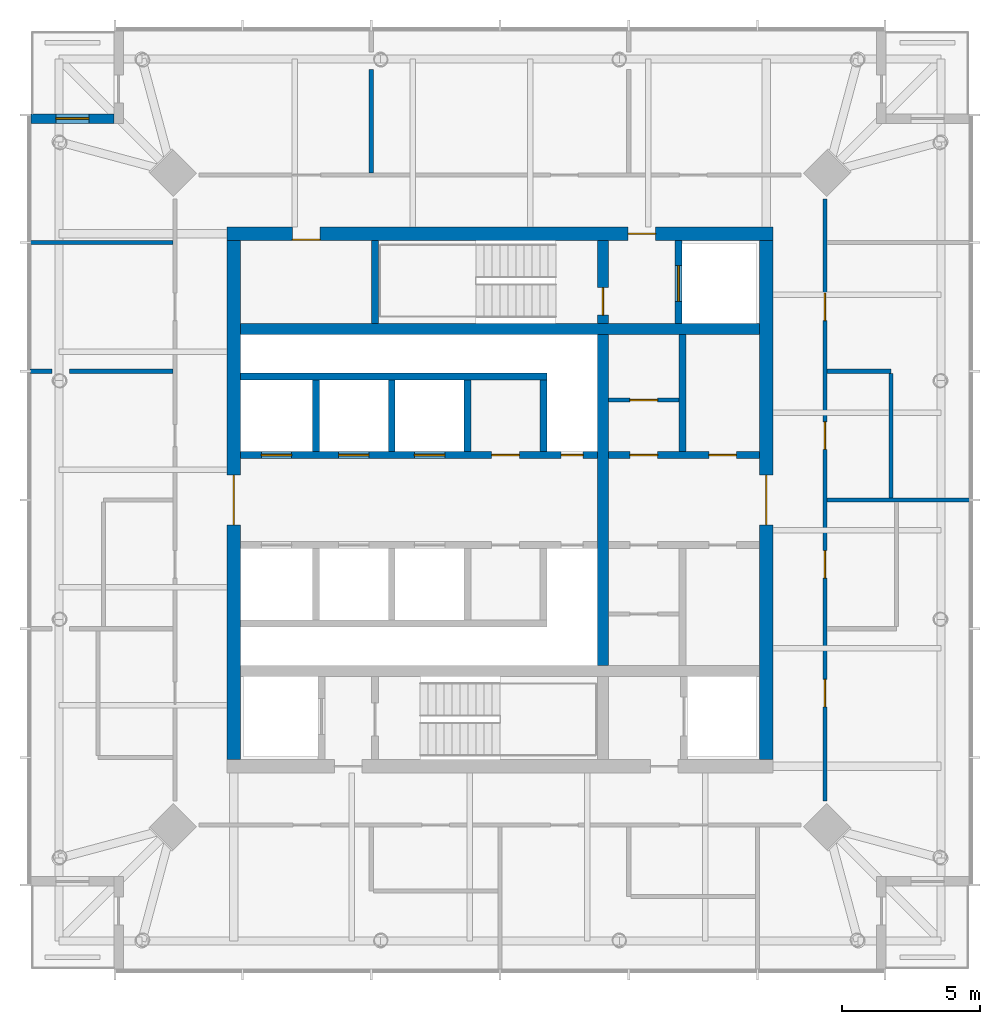
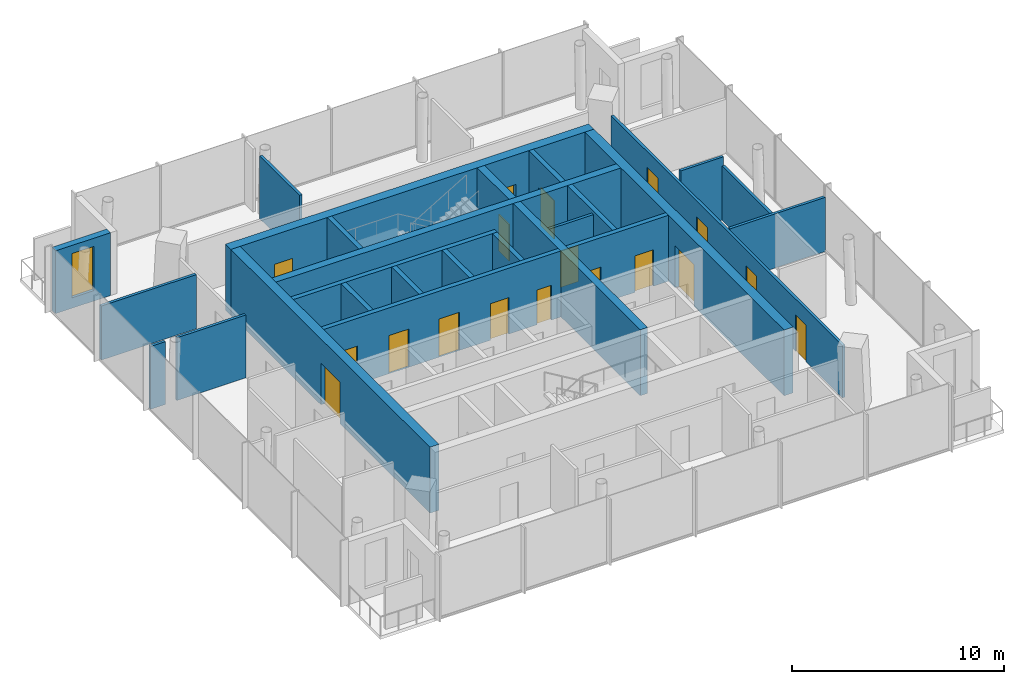
# One storey, part 5 of 7: 26 walls, 18 doors, 1 window, 19 openings.
"""IFC4 building model written with IfcOpenShell, lengths in metres."""

from ifc_helpers import new_model, si_unit, direction, frame, frame_2d, origin, place, context, subcontext, project, spatial, rectangle, extrude, material, layer, layer_set, type_object, element, fill, save


model = new_model("IFC4")

# Units and contexts
model_context = context("Model", 3, precision=1e-05, world=origin(), true_north=direction((0.0, 1.0)))
body_context = subcontext(model_context, "Body", "Model", "MODEL_VIEW")
ifc_project = project(units=[si_unit("LENGTHUNIT", "METRE"), si_unit("AREAUNIT", "SQUARE_METRE"), si_unit("VOLUMEUNIT", "CUBIC_METRE"), si_unit("PLANEANGLEUNIT", "RADIAN"), si_unit("MASSUNIT", "GRAM", prefix="KILO")], contexts=[model_context])

# Site, building, storey
site_placement = place(None, origin())
site = spatial("IfcSite", under=ifc_project, at=site_placement, CompositionType="ELEMENT")
building_placement = place(site_placement, origin())
building = spatial("IfcBuilding", under=site, at=building_placement, Name="Ostroluk Exchange", CompositionType="ELEMENT")
storey_placement = place(building_placement, frame((0.0, 0.0, 271.800048828125)))
storey = spatial("IfcBuildingStorey", under=building, at=storey_placement, Name="L70", CompositionType="ELEMENT", Elevation=271.800048828125)

# Wall, opening, door
ifc_material_1 = material(Name="Concrete blockwork", Category="masonry")
ifc_layer_1 = layer(ifc_material_1, 0.14990234375)
ifc_layer_set_1 = layer_set([ifc_layer_1], Name="Blockwork plant room wall 150")
wall_type_1 = type_object("IfcWallType", Name="Blockwork plant room wall 150", PredefinedType="SOLIDWALL", material=ifc_layer_set_1)
wall_1_placement = place(storey_placement, frame((48.929931640625, 49.6201171875, 0.0), z_axis=(0.0, 0.0, 1.0), x_axis=(1.0, 0.0, 0.0)))
wall_1 = element("IfcWall", 1, at=wall_1_placement, inside=storey, type_object=wall_type_1, Name="Core room wall", PredefinedType="SOLIDWALL", context=body_context, shape_type="SweptSolid", body=[
    extrude(rectangle(XDim=2.56005859375, YDim=0.14990234375, at=frame_2d((1.280029296875, 0.0))), origin(), (0.0, 0.0, 1.0), 3.619873046875),
])
opening_1_placement = place(wall_1_placement, frame((0.780029296875, 0.0, 0.0)))
opening_1 = element("IfcOpeningElement", 2, at=opening_1_placement, cuts=wall_1, Name="Opening FD60", PredefinedType="OPENING", context=body_context, shape_type="SweptSolid", body=[
    extrude(rectangle(XDim=1.0, YDim=2.10009765625, at=frame_2d((0.5, 1.050048828125))), frame((0.0, 0.0849609375, 0.0), z_axis=(0.0, -1.0, 0.0), x_axis=(1.0, 0.0, 0.0)), (0.0, 0.0, 1.0), 0.169921875),
])
ifc_material_2 = material(Name="Steel", Category="steel")
door_type_1 = type_object("IfcDoorType", Name="Fire door EI 60 1000 x 2100", OperationType="SINGLE_SWING_LEFT", PredefinedType="DOOR", material=ifc_material_2)
door_1_placement = place(opening_1_placement, origin())
door_1 = element("IfcDoor", 3, at=door_1_placement, inside=storey, type_object=door_type_1, Name="Stationery store door", OperationType="SINGLE_SWING_LEFT", OverallHeight=2.10009765625, OverallWidth=1.0, PredefinedType="DOOR", context=body_context, shape_type="SweptSolid", body=[
    extrude(rectangle(XDim=1.0, YDim=2.10009765625, at=frame_2d((0.5, 1.050048828125))), frame((0.0, 0.02490234375, 0.0), z_axis=(0.0, -1.0, 0.0), x_axis=(1.0, 0.0, 0.0)), (0.0, 0.0, 1.0), 0.050048828125),
])
fill(opening_1, door_1)

# Walls
ifc_material_3 = material(Name="Concrete C50/60", Category="concrete")
ifc_layer_2 = layer(ifc_material_3, 0.39990234375)
ifc_layer_set_2 = layer_set([ifc_layer_2], Name="Core cross wall 400 C50/60")
wall_type_2 = type_object("IfcWallType", Name="Core cross wall 400 C50/60", PredefinedType="SHEAR", material=ifc_layer_set_2)
wall_2_placement = place(storey_placement, frame((35.60009765625, 52.199951171875, 0.0), z_axis=(0.0, 0.0, 1.0), x_axis=(1.0, 0.0, 0.0)))
element("IfcWall", 4, at=wall_2_placement, inside=storey, type_object=wall_type_2, Name="T1 core wall XN", PredefinedType="SHEAR", context=body_context, shape_type="SweptSolid", body=[
    extrude(rectangle(XDim=18.7998046875, YDim=0.39990234375, at=frame_2d((9.39990234375, 0.0))), origin(), (0.0, 0.0, 1.0), 3.800048828125),
])
wall_3_placement = place(storey_placement, frame((48.72998046875, 40.0, 0.0), z_axis=(0.0, 0.0, 1.0), x_axis=(0.0, 1.0, 0.0)))
element("IfcWall", 5, at=wall_3_placement, inside=storey, type_object=wall_type_2, Name="T1 core wall YE2", PredefinedType="SHEAR", context=body_context, shape_type="SweptSolid", body=[
    extrude(rectangle(XDim=12.0, YDim=0.39990234375, at=frame_2d((6.0, 0.0))), origin(), (0.0, 0.0, 1.0), 3.800048828125),
])

# Wall, opening, door
wall_4_placement = place(storey_placement, frame((48.72998046875, 52.39990234375, 0.0), z_axis=(0.0, 0.0, 1.0), x_axis=(0.0, 1.0, 0.0)))
wall_4 = element("IfcWall", 6, at=wall_4_placement, inside=storey, type_object=wall_type_2, Name="T1 core wall YE3", PredefinedType="SHEAR", context=body_context, shape_type="SweptSolid", body=[
    extrude(rectangle(XDim=3.0, YDim=0.39990234375, at=frame_2d((1.5, 0.0))), origin(), (0.0, 0.0, 1.0), 3.800048828125),
])
opening_2_placement = place(wall_4_placement, frame((0.300048828125, 0.0, 0.0)))
opening_2 = element("IfcOpeningElement", 7, at=opening_2_placement, cuts=wall_4, Name="Opening FD60", PredefinedType="OPENING", context=body_context, shape_type="SweptSolid", body=[
    extrude(rectangle(XDim=1.0, YDim=2.10009765625, at=frame_2d((0.5, 1.050048828125))), frame((0.0, 0.2099609375, 0.0), z_axis=(0.0, -1.0, 0.0), x_axis=(1.0, 0.0, 0.0)), (0.0, 0.0, 1.0), 0.419921875),
])
door_2_placement = place(opening_2_placement, origin())
door_2 = element("IfcDoor", 8, at=door_2_placement, inside=storey, type_object=door_type_1, Name="Stair T1-S2 door", OperationType="SINGLE_SWING_LEFT", OverallHeight=2.10009765625, OverallWidth=1.0, PredefinedType="DOOR", context=body_context, shape_type="SweptSolid", body=[
    extrude(rectangle(XDim=1.0, YDim=2.10009765625, at=frame_2d((0.5, 1.050048828125))), frame((0.0, 0.02490234375, 0.0), z_axis=(0.0, -1.0, 0.0), x_axis=(1.0, 0.0, 0.0)), (0.0, 0.0, 1.0), 0.050048828125),
])
fill(opening_2, door_2)

# Wall
ifc_material_4 = material(Name="Concrete C40/50", Category="concrete")
ifc_layer_3 = layer(ifc_material_4, 0.25)
ifc_layer_set_3 = layer_set([ifc_layer_3], Name="Core shaft wall 250")
wall_type_3 = type_object("IfcWallType", Name="Core shaft wall 250", PredefinedType="SHEAR", material=ifc_layer_set_3)
wall_5_placement = place(storey_placement, frame((40.47509765625, 52.39990234375, 0.0), z_axis=(0.0, 0.0, 1.0), x_axis=(0.0, 1.0, 0.0)))
element("IfcWall", 9, at=wall_5_placement, inside=storey, type_object=wall_type_3, Name="Stair shaft wall", PredefinedType="SHEAR", context=body_context, shape_type="SweptSolid", body=[
    extrude(rectangle(XDim=3.0, YDim=0.25, at=frame_2d((1.5, 0.0))), origin(), (0.0, 0.0, 1.0), 3.800048828125),
])

# Wall, opening, door
wall_6_placement = place(storey_placement, frame((51.47509765625, 52.39990234375, 0.0), z_axis=(0.0, 0.0, 1.0), x_axis=(0.0, 1.0, 0.0)))
wall_6 = element("IfcWall", 10, at=wall_6_placement, inside=storey, type_object=wall_type_3, Name="Firefighting lift shaft wall", PredefinedType="SHEAR", context=body_context, shape_type="SweptSolid", body=[
    extrude(rectangle(XDim=3.0, YDim=0.25, at=frame_2d((1.5, 0.0))), origin(), (0.0, 0.0, 1.0), 3.800048828125),
])
opening_3_placement = place(wall_6_placement, frame((0.800048828125, 0.0, 0.0)))
opening_3 = element("IfcOpeningElement", 11, at=opening_3_placement, cuts=wall_6, Name="Opening LD2", PredefinedType="OPENING", context=body_context, shape_type="SweptSolid", body=[
    extrude(rectangle(XDim=1.300048828125, YDim=2.199951171875, at=frame_2d((0.64990234375, 1.10009765625))), frame((0.0, 0.135009765625, 0.0), z_axis=(0.0, -1.0, 0.0), x_axis=(1.0, 0.0, 0.0)), (0.0, 0.0, 1.0), 0.27001953125),
])
ifc_material_5 = material(Name="Stainless steel", Category="steel")
door_type_2 = type_object("IfcDoorType", Name="Lift landing door E 60 1300 x 2200", OperationType="DOUBLE_DOOR_SLIDING", PredefinedType="DOOR", material=ifc_material_5)
door_3_placement = place(opening_3_placement, origin())
door_3 = element("IfcDoor", 12, at=door_3_placement, inside=storey, type_object=door_type_2, Name="Lift FL2 landing door", OperationType="DOUBLE_DOOR_SLIDING", OverallHeight=2.199951171875, OverallWidth=1.300048828125, PredefinedType="DOOR", context=body_context, shape_type="SweptSolid", body=[
    extrude(rectangle(XDim=1.300048828125, YDim=2.199951171875, at=frame_2d((0.64990234375, 1.10009765625))), frame((0.0, 0.02490234375, 0.0), z_axis=(0.0, -1.0, 0.0), x_axis=(1.0, 0.0, 0.0)), (0.0, 0.0, 1.0), 0.050048828125),
])
fill(opening_3, door_3)

# Walls
for number, where, z_axis, x_axis, name in (
    (13, (38.324951171875, 47.75, 0.0), (0.0, 0.0, 1.0), (0.0, 1.0, 0.0), "Lift shaft wall"),
    (14, (41.074951171875, 47.75, 0.0), (0.0, 0.0, 1.0), (0.0, 1.0, 0.0), "Lift shaft wall"),
    (15, (43.824951171875, 47.75, 0.0), (0.0, 0.0, 1.0), (0.0, 1.0, 0.0), "Lift shaft wall"),
    (16, (46.574951171875, 47.75, 0.0), (0.0, 0.0, 1.0), (0.0, 1.0, 0.0), "Lift shaft wall"),
):
    element("IfcWall", number, at=place(storey_placement, frame(where, z_axis=z_axis, x_axis=x_axis)), inside=storey, type_object=wall_type_3, Name=name, PredefinedType="SHEAR", context=body_context, shape_type="SweptSolid", body=[
        extrude(rectangle(XDim=2.60009765625, YDim=0.25, at=frame_2d((1.300048828125, 0.0))), origin(), (0.0, 0.0, 1.0), 3.800048828125),
    ])
wall_7_placement = place(storey_placement, frame((35.60009765625, 50.47509765625, 0.0), z_axis=(0.0, 0.0, 1.0), x_axis=(1.0, 0.0, 0.0)))
element("IfcWall", 17, at=wall_7_placement, inside=storey, type_object=wall_type_3, Name="Lift shaft wall", PredefinedType="SHEAR", context=body_context, shape_type="SweptSolid", body=[
    extrude(rectangle(XDim=11.099853515625, YDim=0.25, at=frame_2d((5.5498046875, 0.0))), origin(), (0.0, 0.0, 1.0), 3.800048828125),
])

# Wall, openings, doors
wall_8_placement = place(storey_placement, frame((35.60009765625, 47.625, 0.0), z_axis=(0.0, 0.0, 1.0), x_axis=(1.0, 0.0, 0.0)))
wall_8 = element("IfcWall", 18, at=wall_8_placement, inside=storey, type_object=wall_type_3, Name="Lift shaft front wall", PredefinedType="SHEAR", context=body_context, shape_type="SweptSolid", body=[
    extrude(rectangle(XDim=12.929931640625, YDim=0.25, at=frame_2d((6.46484375, 0.0))), origin(), (0.0, 0.0, 1.0), 3.800048828125),
])
opening_4_placement = place(wall_8_placement, frame((0.75, 0.0, 0.0)))
opening_4 = element("IfcOpeningElement", 19, at=opening_4_placement, cuts=wall_8, Name="Opening LD", PredefinedType="OPENING", context=body_context, shape_type="SweptSolid", body=[
    extrude(rectangle(XDim=1.10009765625, YDim=2.199951171875, at=frame_2d((0.550048828125, 1.10009765625))), frame((0.0, 0.135009765625, 0.0), z_axis=(0.0, -1.0, 0.0), x_axis=(1.0, 0.0, 0.0)), (0.0, 0.0, 1.0), 0.27001953125),
])
opening_5_placement = place(wall_8_placement, frame((3.550048828125, 0.0, 0.0)))
opening_5 = element("IfcOpeningElement", 20, at=opening_5_placement, cuts=wall_8, Name="Opening LD", PredefinedType="OPENING", context=body_context, shape_type="SweptSolid", body=[
    extrude(rectangle(XDim=1.10009765625, YDim=2.199951171875, at=frame_2d((0.550048828125, 1.10009765625))), frame((0.0, 0.135009765625, 0.0), z_axis=(0.0, -1.0, 0.0), x_axis=(1.0, 0.0, 0.0)), (0.0, 0.0, 1.0), 0.27001953125),
])
opening_6_placement = place(wall_8_placement, frame((6.300048828125, 0.0, 0.0)))
opening_6 = element("IfcOpeningElement", 21, at=opening_6_placement, cuts=wall_8, Name="Opening LD", PredefinedType="OPENING", context=body_context, shape_type="SweptSolid", body=[
    extrude(rectangle(XDim=1.10009765625, YDim=2.199951171875, at=frame_2d((0.550048828125, 1.10009765625))), frame((0.0, 0.135009765625, 0.0), z_axis=(0.0, -1.0, 0.0), x_axis=(1.0, 0.0, 0.0)), (0.0, 0.0, 1.0), 0.27001953125),
])
opening_7_placement = place(wall_8_placement, frame((9.10009765625, 0.0, 0.0)))
opening_7 = element("IfcOpeningElement", 22, at=opening_7_placement, cuts=wall_8, Name="Opening FD60", PredefinedType="OPENING", context=body_context, shape_type="SweptSolid", body=[
    extrude(rectangle(XDim=1.0, YDim=2.10009765625, at=frame_2d((0.5, 1.050048828125))), frame((0.0, 0.135009765625, 0.0), z_axis=(0.0, -1.0, 0.0), x_axis=(1.0, 0.0, 0.0)), (0.0, 0.0, 1.0), 0.27001953125),
])
opening_8_placement = place(wall_8_placement, frame((11.614990234375, 0.0, 0.0)))
opening_8 = element("IfcOpeningElement", 23, at=opening_8_placement, cuts=wall_8, Name="Opening RD60", PredefinedType="OPENING", context=body_context, shape_type="SweptSolid", body=[
    extrude(rectangle(XDim=0.800048828125, YDim=2.0, at=frame_2d((0.39990234375, 1.0))), frame((0.0, 0.135009765625, 0.0), z_axis=(0.0, -1.0, 0.0), x_axis=(1.0, 0.0, 0.0)), (0.0, 0.0, 1.0), 0.27001953125),
])
door_4_placement = place(opening_7_placement, origin())
door_4 = element("IfcDoor", 24, at=door_4_placement, inside=storey, type_object=door_type_1, Name="Core room door", OperationType="SINGLE_SWING_RIGHT", OverallHeight=2.10009765625, OverallWidth=1.0, PredefinedType="DOOR", context=body_context, shape_type="SweptSolid", body=[
    extrude(rectangle(XDim=1.0, YDim=2.10009765625, at=frame_2d((0.5, 1.050048828125))), frame((0.0, 0.02490234375, 0.0), z_axis=(0.0, -1.0, 0.0), x_axis=(1.0, 0.0, 0.0)), (0.0, 0.0, 1.0), 0.050048828125),
])
fill(opening_7, door_4)
ifc_material_6 = material(Name="Stainless steel", Category="steel")
door_type_3 = type_object("IfcDoorType", Name="Lift landing door E 60 1100 x 2200", OperationType="DOUBLE_DOOR_SLIDING", PredefinedType="DOOR", material=ifc_material_6)
door_5_placement = place(opening_4_placement, origin())
door_5 = element("IfcDoor", 25, at=door_5_placement, inside=storey, type_object=door_type_3, Name="Lift PL-T1 landing door", OperationType="DOUBLE_DOOR_SLIDING", OverallHeight=2.199951171875, OverallWidth=1.10009765625, PredefinedType="DOOR", context=body_context, shape_type="SweptSolid", body=[
    extrude(rectangle(XDim=1.10009765625, YDim=2.199951171875, at=frame_2d((0.550048828125, 1.10009765625))), frame((0.0, 0.02490234375, 0.0), z_axis=(0.0, -1.0, 0.0), x_axis=(1.0, 0.0, 0.0)), (0.0, 0.0, 1.0), 0.050048828125),
])
fill(opening_4, door_5)
door_6_placement = place(opening_5_placement, origin())
door_6 = element("IfcDoor", 26, at=door_6_placement, inside=storey, type_object=door_type_3, Name="Lift PL-T2 landing door", OperationType="DOUBLE_DOOR_SLIDING", OverallHeight=2.199951171875, OverallWidth=1.10009765625, PredefinedType="DOOR", context=body_context, shape_type="SweptSolid", body=[
    extrude(rectangle(XDim=1.10009765625, YDim=2.199951171875, at=frame_2d((0.550048828125, 1.10009765625))), frame((0.0, 0.02490234375, 0.0), z_axis=(0.0, -1.0, 0.0), x_axis=(1.0, 0.0, 0.0)), (0.0, 0.0, 1.0), 0.050048828125),
])
fill(opening_5, door_6)
door_7_placement = place(opening_6_placement, origin())
door_7 = element("IfcDoor", 27, at=door_7_placement, inside=storey, type_object=door_type_3, Name="Lift PL-T3 landing door", OperationType="DOUBLE_DOOR_SLIDING", OverallHeight=2.199951171875, OverallWidth=1.10009765625, PredefinedType="DOOR", context=body_context, shape_type="SweptSolid", body=[
    extrude(rectangle(XDim=1.10009765625, YDim=2.199951171875, at=frame_2d((0.550048828125, 1.10009765625))), frame((0.0, 0.02490234375, 0.0), z_axis=(0.0, -1.0, 0.0), x_axis=(1.0, 0.0, 0.0)), (0.0, 0.0, 1.0), 0.050048828125),
])
fill(opening_6, door_7)
ifc_material_7 = material(Name="Steel", Category="steel")
door_type_4 = type_object("IfcDoorType", Name="Riser access door EI 60 800 x 2000", OperationType="SINGLE_SWING_LEFT", PredefinedType="DOOR", material=ifc_material_7)
door_8_placement = place(opening_8_placement, origin())
door_8 = element("IfcDoor", 28, at=door_8_placement, inside=storey, type_object=door_type_4, Name="Riser access door", OperationType="SINGLE_SWING_RIGHT", OverallHeight=2.0, OverallWidth=0.800048828125, PredefinedType="DOOR", context=body_context, shape_type="SweptSolid", body=[
    extrude(rectangle(XDim=0.800048828125, YDim=2.0, at=frame_2d((0.39990234375, 1.0))), frame((0.0, 0.02490234375, 0.0), z_axis=(0.0, -1.0, 0.0), x_axis=(1.0, 0.0, 0.0)), (0.0, 0.0, 1.0), 0.050048828125),
])
fill(opening_8, door_8)

# Wall
wall_9_placement = place(storey_placement, frame((51.614990234375, 47.75, 0.0), z_axis=(0.0, 0.0, 1.0), x_axis=(0.0, 1.0, 0.0)))
element("IfcWall", 29, at=wall_9_placement, inside=storey, type_object=wall_type_3, Name="Lift shaft wall", PredefinedType="SHEAR", context=body_context, shape_type="SweptSolid", body=[
    extrude(rectangle(XDim=4.25, YDim=0.25, at=frame_2d((2.125, 0.0))), origin(), (0.0, 0.0, 1.0), 3.800048828125),
])

# Wall, openings, doors
wall_10_placement = place(storey_placement, frame((48.929931640625, 47.625, 0.0), z_axis=(0.0, 0.0, 1.0), x_axis=(1.0, 0.0, 0.0)))
wall_10 = element("IfcWall", 30, at=wall_10_placement, inside=storey, type_object=wall_type_3, Name="Lift shaft front wall", PredefinedType="SHEAR", context=body_context, shape_type="SweptSolid", body=[
    extrude(rectangle(XDim=5.469970703125, YDim=0.25, at=frame_2d((2.73486328125, 0.0))), origin(), (0.0, 0.0, 1.0), 3.800048828125),
])
opening_9_placement = place(wall_10_placement, frame((0.780029296875, 0.0, 0.0)))
opening_9 = element("IfcOpeningElement", 31, at=opening_9_placement, cuts=wall_10, Name="Opening FD60", PredefinedType="OPENING", context=body_context, shape_type="SweptSolid", body=[
    extrude(rectangle(XDim=1.0, YDim=2.10009765625, at=frame_2d((0.5, 1.050048828125))), frame((0.0, 0.135009765625, 0.0), z_axis=(0.0, -1.0, 0.0), x_axis=(1.0, 0.0, 0.0)), (0.0, 0.0, 1.0), 0.27001953125),
])
opening_10_placement = place(wall_10_placement, frame((3.639892578125, 0.0, 0.0)))
opening_10 = element("IfcOpeningElement", 32, at=opening_10_placement, cuts=wall_10, Name="Opening FD60", PredefinedType="OPENING", context=body_context, shape_type="SweptSolid", body=[
    extrude(rectangle(XDim=1.0, YDim=2.10009765625, at=frame_2d((0.5, 1.050048828125))), frame((0.0, 0.135009765625, 0.0), z_axis=(0.0, -1.0, 0.0), x_axis=(1.0, 0.0, 0.0)), (0.0, 0.0, 1.0), 0.27001953125),
])
door_9_placement = place(opening_9_placement, origin())
door_9 = element("IfcDoor", 33, at=door_9_placement, inside=storey, type_object=door_type_1, Name="Core room door", OperationType="SINGLE_SWING_LEFT", OverallHeight=2.10009765625, OverallWidth=1.0, PredefinedType="DOOR", context=body_context, shape_type="SweptSolid", body=[
    extrude(rectangle(XDim=1.0, YDim=2.10009765625, at=frame_2d((0.5, 1.050048828125))), frame((0.0, 0.02490234375, 0.0), z_axis=(0.0, -1.0, 0.0), x_axis=(1.0, 0.0, 0.0)), (0.0, 0.0, 1.0), 0.050048828125),
])
fill(opening_9, door_9)
door_10_placement = place(opening_10_placement, origin())
door_10 = element("IfcDoor", 34, at=door_10_placement, inside=storey, type_object=door_type_1, Name="Core room door", OperationType="SINGLE_SWING_RIGHT", OverallHeight=2.10009765625, OverallWidth=1.0, PredefinedType="DOOR", context=body_context, shape_type="SweptSolid", body=[
    extrude(rectangle(XDim=1.0, YDim=2.10009765625, at=frame_2d((0.5, 1.050048828125))), frame((0.0, 0.02490234375, 0.0), z_axis=(0.0, -1.0, 0.0), x_axis=(1.0, 0.0, 0.0)), (0.0, 0.0, 1.0), 0.050048828125),
])
fill(opening_10, door_10)

ifc_material_8 = material(Name="Concrete C50/60", Category="concrete")
ifc_layer_4 = layer(ifc_material_8, 0.5)
ifc_layer_set_4 = layer_set([ifc_layer_4], Name="Core wall 500 C50/60")
wall_type_4 = type_object("IfcWallType", Name="Core wall 500 C50/60", PredefinedType="SHEAR", material=ifc_layer_set_4)
wall_11_placement = place(storey_placement, frame((35.10009765625, 55.64990234375, 0.0), z_axis=(0.0, 0.0, 1.0), x_axis=(1.0, 0.0, 0.0)))
wall_11 = element("IfcWall", 35, at=wall_11_placement, inside=storey, type_object=wall_type_4, Name="T1 core wall N", PredefinedType="SHEAR", context=body_context, shape_type="SweptSolid", body=[
    extrude(rectangle(XDim=19.7998046875, YDim=0.5, at=frame_2d((9.89990234375, 0.0))), origin(), (0.0, 0.0, 1.0), 3.800048828125),
])
opening_11_placement = place(wall_11_placement, frame((14.5400390625, 0.0, 0.0)))
opening_11 = element("IfcOpeningElement", 36, at=opening_11_placement, cuts=wall_11, Name="Opening FD60", PredefinedType="OPENING", context=body_context, shape_type="SweptSolid", body=[
    extrude(rectangle(XDim=1.0, YDim=2.10009765625, at=frame_2d((0.5, 1.050048828125))), frame((0.0, 0.260009765625, 0.0), z_axis=(0.0, -1.0, 0.0), x_axis=(1.0, 0.0, 0.0)), (0.0, 0.0, 1.0), 0.52001953125),
])
opening_12_placement = place(wall_11_placement, frame((2.375, 0.0, 0.0)))
opening_12 = element("IfcOpeningElement", 37, at=opening_12_placement, cuts=wall_11, Name="Opening FD60", PredefinedType="OPENING", context=body_context, shape_type="SweptSolid", body=[
    extrude(rectangle(XDim=1.0, YDim=2.10009765625, at=frame_2d((0.5, 1.050048828125))), frame((0.0, 0.260009765625, 0.0), z_axis=(0.0, -1.0, 0.0), x_axis=(1.0, 0.0, 0.0)), (0.0, 0.0, 1.0), 0.52001953125),
])
door_11_placement = place(opening_11_placement, origin())
door_11 = element("IfcDoor", 38, at=door_11_placement, inside=storey, type_object=door_type_1, Name="Firefighting lobby door", OperationType="SINGLE_SWING_RIGHT", OverallHeight=2.10009765625, OverallWidth=1.0, PredefinedType="DOOR", context=body_context, shape_type="SweptSolid", body=[
    extrude(rectangle(XDim=1.0, YDim=2.10009765625, at=frame_2d((0.5, 1.050048828125))), frame((0.0, 0.02490234375, 0.0), z_axis=(0.0, -1.0, 0.0), x_axis=(1.0, 0.0, 0.0)), (0.0, 0.0, 1.0), 0.050048828125),
])
fill(opening_11, door_11)
door_12_placement = place(opening_12_placement, origin())
door_12 = element("IfcDoor", 39, at=door_12_placement, inside=storey, type_object=door_type_1, Name="Tea point door", OperationType="SINGLE_SWING_LEFT", OverallHeight=2.10009765625, OverallWidth=1.0, PredefinedType="DOOR", context=body_context, shape_type="SweptSolid", body=[
    extrude(rectangle(XDim=1.0, YDim=2.10009765625, at=frame_2d((0.5, 1.050048828125))), frame((0.0, -0.18994140625, 0.0), z_axis=(0.0, -1.0, 0.0), x_axis=(1.0, 0.0, 0.0)), (0.0, 0.0, 1.0), 0.050048828125),
])
fill(opening_12, door_12)

# Wall, opening, door
wall_12_placement = place(storey_placement, frame((35.35009765625, 36.60009765625, 0.0), z_axis=(0.0, 0.0, 1.0), x_axis=(0.0, 1.0, 0.0)))
wall_12 = element("IfcWall", 40, at=wall_12_placement, inside=storey, type_object=wall_type_4, Name="T1 core wall W", PredefinedType="SHEAR", context=body_context, shape_type="SweptSolid", body=[
    extrude(rectangle(XDim=18.7998046875, YDim=0.5, at=frame_2d((9.39990234375, 0.0))), origin(), (0.0, 0.0, 1.0), 3.800048828125),
])
opening_13_placement = place(wall_12_placement, frame((8.5, 0.0, 0.0)))
opening_13 = element("IfcOpeningElement", 41, at=opening_13_placement, cuts=wall_12, Name="Opening FD30D", PredefinedType="OPENING", context=body_context, shape_type="SweptSolid", body=[
    extrude(rectangle(XDim=1.800048828125, YDim=2.39990234375, at=frame_2d((0.89990234375, 1.199951171875))), frame((0.0, 0.260009765625, 0.0), z_axis=(0.0, -1.0, 0.0), x_axis=(1.0, 0.0, 0.0)), (0.0, 0.0, 1.0), 0.52001953125),
])
ifc_material_9 = material(Name="Timber", Category="wood")
door_type_5 = type_object("IfcDoorType", Name="Lobby double door EI 30 1800 x 2400", OperationType="DOUBLE_DOOR_SINGLE_SWING", PredefinedType="DOOR", material=ifc_material_9)
door_13_placement = place(opening_13_placement, origin())
door_13 = element("IfcDoor", 42, at=door_13_placement, inside=storey, type_object=door_type_5, Name="Lift lobby doors", OperationType="DOUBLE_DOOR_SINGLE_SWING", OverallHeight=2.39990234375, OverallWidth=1.800048828125, PredefinedType="DOOR", context=body_context, shape_type="SweptSolid", body=[
    extrude(rectangle(XDim=1.800048828125, YDim=2.39990234375, at=frame_2d((0.89990234375, 1.199951171875))), frame((0.0, 0.02490234375, 0.0), z_axis=(0.0, -1.0, 0.0), x_axis=(1.0, 0.0, 0.0)), (0.0, 0.0, 1.0), 0.050048828125),
])
fill(opening_13, door_13)

wall_13_placement = place(storey_placement, frame((54.64990234375, 36.60009765625, 0.0), z_axis=(0.0, 0.0, 1.0), x_axis=(0.0, 1.0, 0.0)))
wall_13 = element("IfcWall", 43, at=wall_13_placement, inside=storey, type_object=wall_type_4, Name="T1 core wall E", PredefinedType="SHEAR", context=body_context, shape_type="SweptSolid", body=[
    extrude(rectangle(XDim=18.7998046875, YDim=0.5, at=frame_2d((9.39990234375, 0.0))), origin(), (0.0, 0.0, 1.0), 3.800048828125),
])
opening_14_placement = place(wall_13_placement, frame((8.5, 0.0, 0.0)))
opening_14 = element("IfcOpeningElement", 44, at=opening_14_placement, cuts=wall_13, Name="Opening FD30D", PredefinedType="OPENING", context=body_context, shape_type="SweptSolid", body=[
    extrude(rectangle(XDim=1.800048828125, YDim=2.39990234375, at=frame_2d((0.89990234375, 1.199951171875))), frame((0.0, 0.260009765625, 0.0), z_axis=(0.0, -1.0, 0.0), x_axis=(1.0, 0.0, 0.0)), (0.0, 0.0, 1.0), 0.52001953125),
])
door_14_placement = place(opening_14_placement, origin())
door_14 = element("IfcDoor", 45, at=door_14_placement, inside=storey, type_object=door_type_5, Name="Lift lobby doors", OperationType="DOUBLE_DOOR_SINGLE_SWING", OverallHeight=2.39990234375, OverallWidth=1.800048828125, PredefinedType="DOOR", context=body_context, shape_type="SweptSolid", body=[
    extrude(rectangle(XDim=1.800048828125, YDim=2.39990234375, at=frame_2d((0.89990234375, 1.199951171875))), frame((0.0, 0.02490234375, 0.0), z_axis=(0.0, -1.0, 0.0), x_axis=(1.0, 0.0, 0.0)), (0.0, 0.0, 1.0), 0.050048828125),
])
fill(opening_14, door_14)

# Wall, opening, window
ifc_material_10 = material(Name="Limestone", Category="masonry")
ifc_layer_5 = layer(ifc_material_10, 0.35009765625)
ifc_layer_set_5 = layer_set([ifc_layer_5], Name="Limestone facade wall 350")
wall_type_5 = type_object("IfcWallType", Name="Limestone facade wall 350", PredefinedType="SOLIDWALL", material=ifc_layer_set_5)
wall_14_placement = place(storey_placement, frame((31.0, 59.824951171875, 0.0), z_axis=(0.0, 0.0, 1.0), x_axis=(-1.0, 0.0, 0.0)))
wall_14 = element("IfcWall", 46, at=wall_14_placement, inside=storey, type_object=wall_type_5, Name="Office tower NW corner wall L70 b", PredefinedType="SOLIDWALL", context=body_context, shape_type="SweptSolid", body=[
    extrude(rectangle(XDim=3.0, YDim=0.35009765625, at=frame_2d((1.5, 0.0))), origin(), (0.0, 0.0, 1.0), 3.619873046875),
])
opening_15_placement = place(wall_14_placement, frame((0.89990234375, 0.0, 0.60009765625)))
opening_15 = element("IfcOpeningElement", 47, at=opening_15_placement, cuts=wall_14, Name="Opening WN-L1", PredefinedType="OPENING", context=body_context, shape_type="SweptSolid", body=[
    extrude(rectangle(XDim=1.199951171875, YDim=2.550048828125, at=frame_2d((0.60009765625, 1.27490234375))), frame((0.0, 0.18505859375, 0.0), z_axis=(0.0, -1.0, 0.0), x_axis=(1.0, 0.0, 0.0)), (0.0, 0.0, 1.0), 0.3701171875),
])
ifc_material_11 = material(Name="Laminated clear glass", Category="glass")
window_type = type_object("IfcWindowType", Name="Lancet window 1200 x 2550", PartitioningType="SINGLE_PANEL", PredefinedType="WINDOW", material=ifc_material_11)
window_placement = place(opening_15_placement, origin())
window = element("IfcWindow", 48, at=window_placement, inside=storey, type_object=window_type, Name="Office tower NW lancet window L70", OverallHeight=2.550048828125, OverallWidth=1.199951171875, PartitioningType="SINGLE_PANEL", PredefinedType="WINDOW", context=body_context, shape_type="SweptSolid", body=[
    extrude(rectangle(XDim=1.199951171875, YDim=2.550048828125, at=frame_2d((0.60009765625, 1.27490234375))), frame((0.0, 0.030029296875, 0.0), z_axis=(0.0, -1.0, 0.0), x_axis=(1.0, 0.0, 0.0)), (0.0, 0.0, 1.0), 0.06005859375),
])
fill(opening_15, window)

# Wall
ifc_material_12 = material(Name="Gypsum plasterboard partition", Category="gypsum")
ifc_layer_6 = layer(ifc_material_12, 0.14990234375)
ifc_layer_set_6 = layer_set([ifc_layer_6], Name="Plasterboard partition 150")
wall_type_6 = type_object("IfcWallType", Name="Plasterboard partition 150", PredefinedType="PARTITIONING", material=ifc_layer_set_6)
wall_15_placement = place(storey_placement, frame((59.175048828125, 46.074951171875, 0.0), z_axis=(0.0, 0.0, 1.0), x_axis=(0.0, 1.0, 0.0)))
element("IfcWall", 49, at=wall_15_placement, inside=storey, type_object=wall_type_6, Name="Partition", PredefinedType="PARTITIONING", context=body_context, shape_type="SweptSolid", body=[
    extrude(rectangle(XDim=4.5166015625, YDim=0.14990234375, at=frame_2d((2.25830078125, 0.0))), origin(), (0.0, 0.0, 1.0), 3.119873046875),
])

# Wall, openings, doors
wall_16_placement = place(storey_placement, frame((56.77490234375, 35.084228515625, 0.0), z_axis=(0.0, 0.0, 1.0), x_axis=(0.0, 1.0, 0.0)))
wall_16 = element("IfcWall", 50, at=wall_16_placement, inside=storey, type_object=wall_type_6, Name="Partition", PredefinedType="PARTITIONING", context=body_context, shape_type="SweptSolid", body=[
    extrude(rectangle(XDim=21.83154296875, YDim=0.14990234375, at=frame_2d((10.915771484375, 0.0))), origin(), (0.0, 0.0, 1.0), 3.02001953125),
])
opening_16_placement = place(wall_16_placement, frame((3.415771484375, 0.0, 0.0)))
opening_16 = element("IfcOpeningElement", 51, at=opening_16_placement, cuts=wall_16, Name="Opening D-03", PredefinedType="OPENING", context=body_context, shape_type="SweptSolid", body=[
    extrude(rectangle(XDim=1.0, YDim=2.10009765625, at=frame_2d((0.5, 1.050048828125))), frame((0.0, 0.0849609375, 0.0), z_axis=(0.0, -1.0, 0.0), x_axis=(1.0, 0.0, 0.0)), (0.0, 0.0, 1.0), 0.169921875),
])
opening_17_placement = place(wall_16_placement, frame((8.08251953125, 0.0, 0.0)))
opening_17 = element("IfcOpeningElement", 52, at=opening_17_placement, cuts=wall_16, Name="Opening D-03", PredefinedType="OPENING", context=body_context, shape_type="SweptSolid", body=[
    extrude(rectangle(XDim=1.0, YDim=2.10009765625, at=frame_2d((0.5, 1.050048828125))), frame((0.0, 0.0849609375, 0.0), z_axis=(0.0, -1.0, 0.0), x_axis=(1.0, 0.0, 0.0)), (0.0, 0.0, 1.0), 0.169921875),
])
opening_18_placement = place(wall_16_placement, frame((12.7490234375, 0.0, 0.0)))
opening_18 = element("IfcOpeningElement", 53, at=opening_18_placement, cuts=wall_16, Name="Opening D-03", PredefinedType="OPENING", context=body_context, shape_type="SweptSolid", body=[
    extrude(rectangle(XDim=1.0, YDim=2.10009765625, at=frame_2d((0.5, 1.050048828125))), frame((0.0, 0.0849609375, 0.0), z_axis=(0.0, -1.0, 0.0), x_axis=(1.0, 0.0, 0.0)), (0.0, 0.0, 1.0), 0.169921875),
])
opening_19_placement = place(wall_16_placement, frame((17.415771484375, 0.0, 0.0)))
opening_19 = element("IfcOpeningElement", 54, at=opening_19_placement, cuts=wall_16, Name="Opening D-03", PredefinedType="OPENING", context=body_context, shape_type="SweptSolid", body=[
    extrude(rectangle(XDim=1.0, YDim=2.10009765625, at=frame_2d((0.5, 1.050048828125))), frame((0.0, 0.0849609375, 0.0), z_axis=(0.0, -1.0, 0.0), x_axis=(1.0, 0.0, 0.0)), (0.0, 0.0, 1.0), 0.169921875),
])
ifc_material_13 = material(Name="Timber", Category="wood")
door_type_6 = type_object("IfcDoorType", Name="Internal door 1000 x 2100", OperationType="SINGLE_SWING_LEFT", PredefinedType="DOOR", material=ifc_material_13)
door_15_placement = place(opening_16_placement, origin())
door_15 = element("IfcDoor", 55, at=door_15_placement, inside=storey, type_object=door_type_6, Name="Corner office door", OperationType="SINGLE_SWING_LEFT", OverallHeight=2.10009765625, OverallWidth=1.0, PredefinedType="DOOR", context=body_context, shape_type="SweptSolid", body=[
    extrude(rectangle(XDim=1.0, YDim=2.10009765625, at=frame_2d((0.5, 1.050048828125))), frame((0.0, 0.02490234375, 0.0), z_axis=(0.0, -1.0, 0.0), x_axis=(1.0, 0.0, 0.0)), (0.0, 0.0, 1.0), 0.050048828125),
])
fill(opening_16, door_15)
door_16_placement = place(opening_17_placement, origin())
door_16 = element("IfcDoor", 56, at=door_16_placement, inside=storey, type_object=door_type_6, Name="Pantry door", OperationType="SINGLE_SWING_LEFT", OverallHeight=2.10009765625, OverallWidth=1.0, PredefinedType="DOOR", context=body_context, shape_type="SweptSolid", body=[
    extrude(rectangle(XDim=1.0, YDim=2.10009765625, at=frame_2d((0.5, 1.050048828125))), frame((0.0, 0.02490234375, 0.0), z_axis=(0.0, -1.0, 0.0), x_axis=(1.0, 0.0, 0.0)), (0.0, 0.0, 1.0), 0.050048828125),
])
fill(opening_17, door_16)
door_17_placement = place(opening_18_placement, origin())
door_17 = element("IfcDoor", 57, at=door_17_placement, inside=storey, type_object=door_type_6, Name="Print and store room door", OperationType="SINGLE_SWING_RIGHT", OverallHeight=2.10009765625, OverallWidth=1.0, PredefinedType="DOOR", context=body_context, shape_type="SweptSolid", body=[
    extrude(rectangle(XDim=1.0, YDim=2.10009765625, at=frame_2d((0.5, 1.050048828125))), frame((0.0, 0.02490234375, 0.0), z_axis=(0.0, -1.0, 0.0), x_axis=(1.0, 0.0, 0.0)), (0.0, 0.0, 1.0), 0.050048828125),
])
fill(opening_18, door_17)
door_18_placement = place(opening_19_placement, origin())
door_18 = element("IfcDoor", 58, at=door_18_placement, inside=storey, type_object=door_type_6, Name="Office door", OperationType="SINGLE_SWING_RIGHT", OverallHeight=2.10009765625, OverallWidth=1.0, PredefinedType="DOOR", context=body_context, shape_type="SweptSolid", body=[
    extrude(rectangle(XDim=1.0, YDim=2.10009765625, at=frame_2d((0.5, 1.050048828125))), frame((0.0, 0.02490234375, 0.0), z_axis=(0.0, -1.0, 0.0), x_axis=(1.0, 0.0, 0.0)), (0.0, 0.0, 1.0), 0.050048828125),
])
fill(opening_19, door_18)

# Walls
wall_17_placement = place(storey_placement, frame((56.85009765625, 46.0, 0.0), z_axis=(0.0, 0.0, 1.0), x_axis=(1.0, 0.0, 0.0)))
element("IfcWall", 59, at=wall_17_placement, inside=storey, type_object=wall_type_6, Name="Partition", PredefinedType="PARTITIONING", context=body_context, shape_type="SweptSolid", body=[
    extrude(rectangle(XDim=5.18994140625, YDim=0.14990234375, at=frame_2d((2.594970703125, 0.0))), origin(), (0.0, 0.0, 1.0), 3.119873046875),
])
wall_18_placement = place(storey_placement, frame((56.85009765625, 50.666748046875, 0.0), z_axis=(0.0, 0.0, 1.0), x_axis=(1.0, 0.0, 0.0)))
element("IfcWall", 60, at=wall_18_placement, inside=storey, type_object=wall_type_6, Name="Partition", PredefinedType="PARTITIONING", context=body_context, shape_type="SweptSolid", body=[
    extrude(rectangle(XDim=2.324951171875, YDim=0.14990234375, at=frame_2d((1.16259765625, 0.0))), origin(), (0.0, 0.0, 1.0), 3.619873046875),
])
wall_19_placement = place(storey_placement, frame((40.333251953125, 57.85009765625, 0.0), z_axis=(0.0, 0.0, 1.0), x_axis=(0.0, 1.0, 0.0)))
element("IfcWall", 61, at=wall_19_placement, inside=storey, type_object=wall_type_6, Name="Partition", PredefinedType="PARTITIONING", context=body_context, shape_type="SweptSolid", body=[
    extrude(rectangle(XDim=3.76025390625, YDim=0.14990234375, at=frame_2d((1.880126953125, 0.0))), origin(), (0.0, 0.0, 1.0), 3.619873046875),
])
wall_20_placement = place(storey_placement, frame((33.14990234375, 55.333251953125, 0.0), z_axis=(0.0, 0.0, 1.0), x_axis=(-1.0, 0.0, 0.0)))
element("IfcWall", 62, at=wall_20_placement, inside=storey, type_object=wall_type_6, Name="Partition", PredefinedType="PARTITIONING", context=body_context, shape_type="SweptSolid", body=[
    extrude(rectangle(XDim=5.18994140625, YDim=0.14990234375, at=frame_2d((2.594970703125, 0.0))), origin(), (0.0, 0.0, 1.0), 3.119873046875),
])
wall_21_placement = place(storey_placement, frame((33.14990234375, 50.666748046875, 0.0), z_axis=(0.0, 0.0, 1.0), x_axis=(-1.0, 0.0, 0.0)))
element("IfcWall", 63, at=wall_21_placement, inside=storey, type_object=wall_type_6, Name="Partition", PredefinedType="PARTITIONING", context=body_context, shape_type="SweptSolid", body=[
    extrude(rectangle(XDim=3.76025390625, YDim=0.14990234375, at=frame_2d((1.880126953125, 0.0))), origin(), (0.0, 0.0, 1.0), 3.619873046875),
])
wall_22_placement = place(storey_placement, frame((28.76025390625, 50.666748046875, 0.0), z_axis=(0.0, 0.0, 1.0), x_axis=(-1.0, 0.0, 0.0)))
element("IfcWall", 64, at=wall_22_placement, inside=storey, type_object=wall_type_6, Name="Partition", PredefinedType="PARTITIONING", context=body_context, shape_type="SweptSolid", body=[
    extrude(rectangle(XDim=0.80029296875, YDim=0.14990234375, at=frame_2d((0.400146484375, 0.0))), origin(), (0.0, 0.0, 1.0), 3.619873046875),
])

save(model, "model.ifc")
